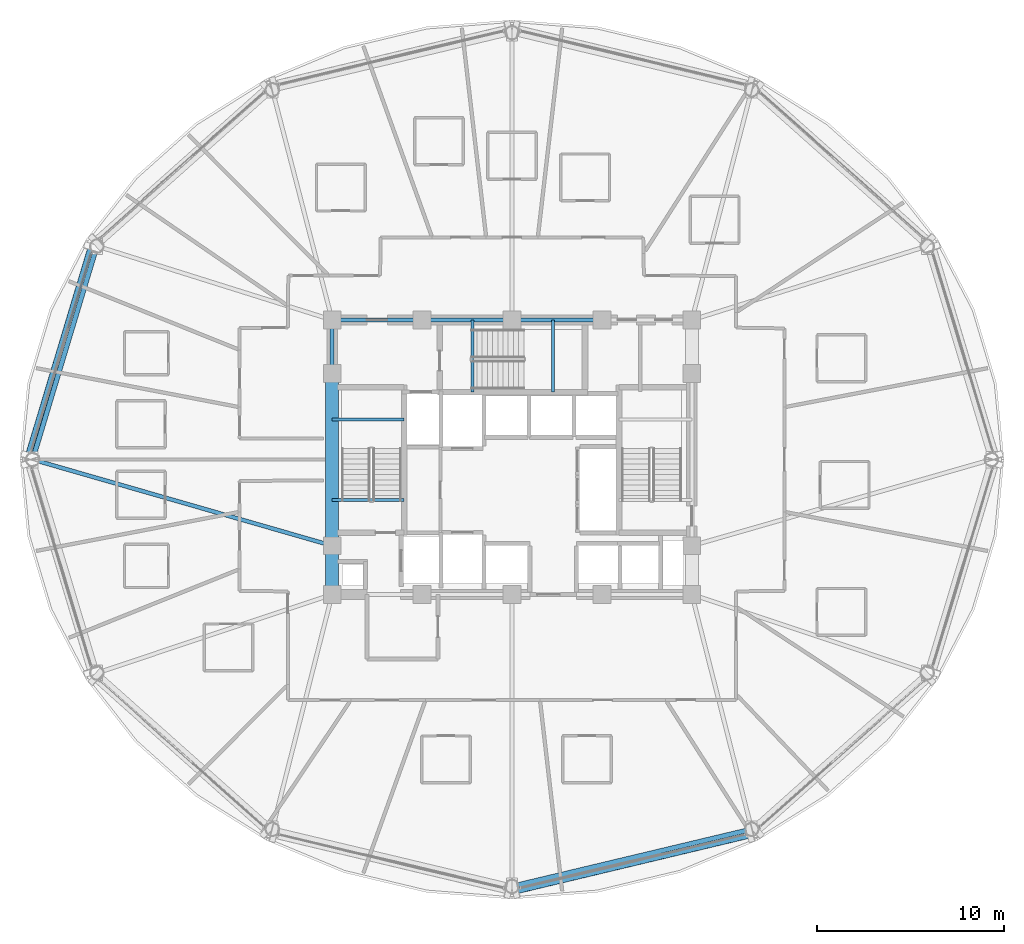
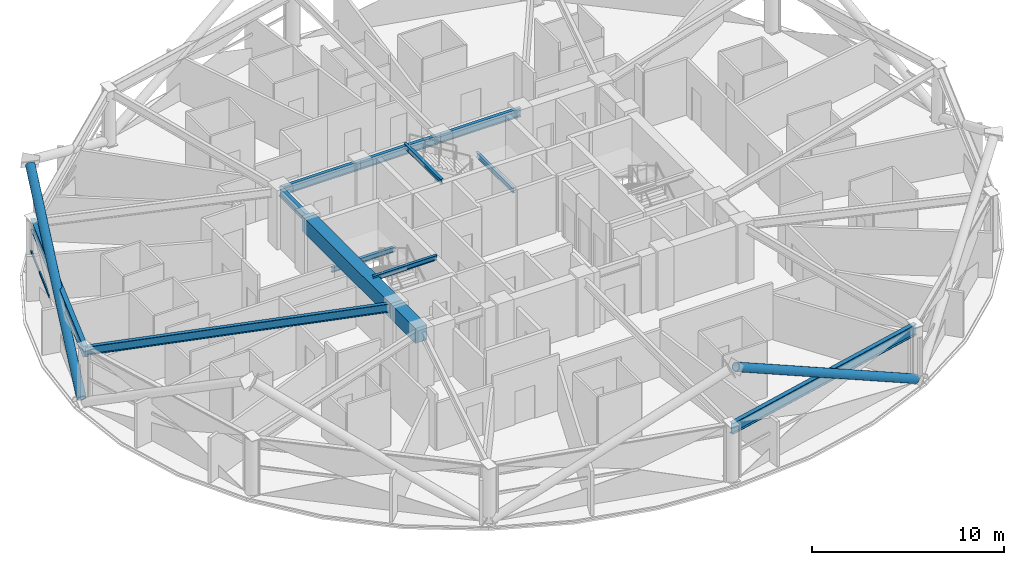
# One storey, part 7 of 32: 13 beams, 3 members, 1 element without a shape of its own.
"""IFC4 building model written with IfcOpenShell, lengths in metres."""

from ifc_helpers import new_model, si_unit, direction, frame, origin, origin_2d, place, context, subcontext, project, spatial, rectangle, hollow_rectangle, hollow_circle, i_section, extrude, material, layer, layer_set, material_profile, profile_set, type_object, element, aggregate, save


model = new_model("IFC4")

# Units and contexts
model_context = context("Model", 3, precision=1e-05, world=origin(), true_north=direction((0.0, 1.0)))
body_context = subcontext(model_context, "Body", "Model", "MODEL_VIEW")
ifc_project = project(units=[si_unit("LENGTHUNIT", "METRE"), si_unit("AREAUNIT", "SQUARE_METRE"), si_unit("VOLUMEUNIT", "CUBIC_METRE"), si_unit("PLANEANGLEUNIT", "RADIAN"), si_unit("MASSUNIT", "GRAM", prefix="KILO")], contexts=[model_context])

# Site, building, storey
site_placement = place(None, origin())
site = spatial("IfcSite", under=ifc_project, at=site_placement, CompositionType="ELEMENT")
building_placement = place(site_placement, origin())
building = spatial("IfcBuilding", under=site, at=building_placement, Name="Vantalir Tower", CompositionType="ELEMENT")
storey_placement = place(building_placement, frame((0.0, 0.0, 104.699951171875)))
storey = spatial("IfcBuildingStorey", under=building, at=storey_placement, Name="L25", CompositionType="ELEMENT", Elevation=104.699951171875)

# Beams
ifc_material_1 = material(Name="Concrete C60/75", Category="concrete")
ifc_material_profile_1 = material_profile(ifc_material_1, rectangle(XDim=0.699951171875, YDim=0.949951171875, at=origin_2d()), Name="Concrete C60/75")
ifc_profile_set_1 = profile_set([ifc_material_profile_1], Name="Concrete C60/75")
beam_type_1 = type_object("IfcBeamType", Name="BM-CB-700x950", PredefinedType="USERDEFINED", material=ifc_profile_set_1)
beam_1_placement = place(storey_placement, frame((21.89990234375, 29.60009765625, 3.094970703125), z_axis=(0.0, -1.0, 0.0), x_axis=(1.0, 0.0, 0.0)))
element("IfcBeam", 1, at=beam_1_placement, inside=storey, type_object=beam_type_1, Name="L25 Core Coupling Girder 13", ObjectType="GIRDER", PredefinedType="USERDEFINED", context=body_context, shape_type="SweptSolid", body=[
    extrude(rectangle(XDim=0.699951171875, YDim=0.949951171875, at=origin_2d()), origin(), (0.0, 0.0, 1.0), 9.2001953125),
])
beam_2_placement = place(storey_placement, frame((21.89990234375, 20.39990234375, 3.094970703125), z_axis=(0.0, -1.0, 0.0), x_axis=(1.0, 0.0, 0.0)))
element("IfcBeam", 2, at=beam_2_placement, inside=storey, type_object=beam_type_1, Name="L25 Core Coupling Girder 14", ObjectType="GIRDER", PredefinedType="USERDEFINED", context=body_context, shape_type="SweptSolid", body=[
    extrude(rectangle(XDim=0.699951171875, YDim=0.949951171875, at=origin_2d()), origin(), (0.0, 0.0, 1.0), 2.599853515625),
])
ifc_material_2 = material(Name="Steel S355", Category="steel")
ifc_material_profile_2 = material_profile(ifc_material_2, i_section(OverallWidth=0.166015625, OverallDepth=0.306884765625, WebThickness=0.006591796875, FlangeThickness=0.01171875, at=origin_2d()), Name="Steel S355")
ifc_profile_set_2 = profile_set([ifc_material_profile_2], Name="Steel S355")
beam_type_2 = type_object("IfcBeamType", Name="BM-JS-305x165", PredefinedType="JOIST", material=ifc_profile_set_2)
for number, where, z_axis, x_axis, name in (
    (3, (21.89990234375, 22.8349609375, 3.59716796875), (1.0, 0.0, 0.0), (0.0, 1.0, 0.0), "L26 Stair ST1 Well Nosing Trimmer Beam"),
    (4, (21.89990234375, 27.14501953125, 1.52197265625), (1.0, 0.0, 0.0), (0.0, 1.0, 0.0), "L25 Stair ST1 Half-Landing Support Beam"),
):
    element("IfcBeam", number, at=place(storey_placement, frame(where, z_axis=z_axis, x_axis=x_axis)), inside=storey, type_object=beam_type_2, Name=name, PredefinedType="JOIST", context=body_context, shape_type="SweptSolid", body=[
        extrude(i_section(OverallWidth=0.166015625, OverallDepth=0.306884765625, WebThickness=0.006591796875, FlangeThickness=0.01171875, at=origin_2d()), origin(), (0.0, 0.0, 1.0), 3.840087890625),
    ])
for number, where, z_axis, x_axis, name in (
    (5, (29.385009765625, 28.60009765625, 3.59716796875), (0.0, 1.0, 0.0), (-1.0, 0.0, 0.0), "L26 Stair ST3 Well Nosing Trimmer Beam"),
    (6, (33.695068359375, 28.60009765625, 1.52197265625), (0.0, 1.0, 0.0), (-1.0, 0.0, 0.0), "L25 Stair ST3 Half-Landing Support Beam"),
):
    element("IfcBeam", number, at=place(storey_placement, frame(where, z_axis=z_axis, x_axis=x_axis)), inside=storey, type_object=beam_type_2, Name=name, PredefinedType="JOIST", context=body_context, shape_type="SweptSolid", body=[
        extrude(i_section(OverallWidth=0.166015625, OverallDepth=0.306884765625, WebThickness=0.006591796875, FlangeThickness=0.01171875, at=origin_2d()), origin(), (0.0, 0.0, 1.0), 3.849853515625),
    ])
ifc_material_profile_3 = material_profile(ifc_material_2, i_section(OverallWidth=0.2109375, OverallDepth=0.5390625, WebThickness=0.01171875, FlangeThickness=0.018798828125, at=origin_2d()), Name="Steel S355")
ifc_profile_set_3 = profile_set([ifc_material_profile_3], Name="Steel S355")
beam_type_3 = type_object("IfcBeamType", Name="BM-RB-533x210", PredefinedType="BEAM", material=ifc_profile_set_3)
for number, where, z_axis, x_axis, name in (
    (7, (36.300048828125, 32.449951171875, 3.300048828125), (-1.0, 0.0, 0.0), (0.0, -1.0, 0.0), "L25 Core Coupling Girder 09"),
    (8, (31.5, 32.449951171875, 3.300048828125), (-1.0, 0.0, 0.0), (0.0, -1.0, 0.0), "L25 Core Coupling Girder 10"),
    (9, (26.699951171875, 32.449951171875, 3.300048828125), (-1.0, 0.0, 0.0), (0.0, -1.0, 0.0), "L25 Core Coupling Girder 11"),
):
    element("IfcBeam", number, at=place(storey_placement, frame(where, z_axis=z_axis, x_axis=x_axis)), inside=storey, type_object=beam_type_3, Name=name, PredefinedType="BEAM", context=body_context, shape_type="SweptSolid", body=[
        extrude(i_section(OverallWidth=0.2109375, OverallDepth=0.5390625, WebThickness=0.01171875, FlangeThickness=0.018798828125, at=origin_2d()), origin(), (0.0, 0.0, 1.0), 4.800048828125),
    ])
beam_3_placement = place(storey_placement, frame((21.89990234375, 32.449951171875, 3.300048828125), z_axis=(0.0, -1.0, 0.0), x_axis=(1.0, 0.0, 0.0)))
element("IfcBeam", 10, at=beam_3_placement, inside=storey, type_object=beam_type_3, Name="L25 Core Coupling Girder 12", PredefinedType="BEAM", context=body_context, shape_type="SweptSolid", body=[
    extrude(i_section(OverallWidth=0.2109375, OverallDepth=0.5390625, WebThickness=0.01171875, FlangeThickness=0.018798828125, at=origin_2d()), origin(), (0.0, 0.0, 1.0), 2.849853515625),
])
beam_4_placement = place(storey_placement, frame((5.912109375, 25.0, 3.300048828125), z_axis=(0.961011705277, -0.276507689442, 0.0), x_axis=(0.276507689442, 0.961011705277, 0.0)))
element("IfcBeam", 11, at=beam_4_placement, inside=storey, type_object=beam_type_3, Name="L25 Radial Floor Beam 07", PredefinedType="BEAM", context=body_context, shape_type="SweptSolid", body=[
    extrude(i_section(OverallWidth=0.2109375, OverallDepth=0.5390625, WebThickness=0.01171875, FlangeThickness=0.018798828125, at=origin_2d()), origin(), (0.0, 0.0, 1.0), 16.636474609375),
])
ifc_material_3 = material(Name="Steel S460", Category="steel")
ifc_material_profile_4 = material_profile(ifc_material_3, i_section(OverallWidth=0.256103515625, OverallDepth=0.693115234375, WebThickness=0.014404296875, FlangeThickness=0.023681640625, at=origin_2d()), Name="Steel S460")
ifc_profile_set_4 = profile_set([ifc_material_profile_4], Name="Steel S460")
beam_type_4 = type_object("IfcBeamType", Name="BM-RG-686x254", PredefinedType="USERDEFINED", material=ifc_profile_set_4)
beam_5_placement = place(storey_placement, frame((9.340087890625, 36.39404296875, 3.22314453125), z_axis=(-0.288100770592, -0.95760009711, 0.0), x_axis=(0.95760009711, -0.288100770592, 0.0)))
element("IfcBeam", 12, at=beam_5_placement, inside=storey, type_object=beam_type_4, Name="L25 Circumferential Ring Girder 06", ObjectType="GIRDER", PredefinedType="USERDEFINED", context=body_context, shape_type="SweptSolid", body=[
    extrude(i_section(OverallWidth=0.256103515625, OverallDepth=0.693115234375, WebThickness=0.014404296875, FlangeThickness=0.023681640625, at=origin_2d()), origin(), (0.0, 0.0, 1.0), 11.8984375),
])
beam_6_placement = place(storey_placement, frame((31.5, 2.2119140625, 3.22314453125), z_axis=(0.972689585219, 0.232109824883, 0.0), x_axis=(-0.232109824883, 0.972689585219, 0.0)))
element("IfcBeam", 13, at=beam_6_placement, inside=storey, type_object=beam_type_4, Name="L25 Circumferential Ring Girder 10", ObjectType="GIRDER", PredefinedType="USERDEFINED", context=body_context, shape_type="SweptSolid", body=[
    extrude(i_section(OverallWidth=0.256103515625, OverallDepth=0.693115234375, WebThickness=0.014404296875, FlangeThickness=0.023681640625, at=origin_2d()), origin(), (0.0, 0.0, 1.0), 13.153076171875),
])

# Curtain wall, member
ifc_material_4 = material(Name="Champagne-silver PVDF aluminium and double-silver Low-E glass", Category="aluminium")
ifc_layer = layer(ifc_material_4, 0.199951171875)
ifc_layer_set = layer_set([ifc_layer], Name="Champagne-silver PVDF aluminium and double-silver Low-E glass")
curtain_wall_type = type_object("IfcCurtainWallType", Name="CW-DIAMOND-Z2", PredefinedType="USERDEFINED", material=ifc_layer_set)
curtain_wall_placement = place(storey_placement, origin())
curtain_wall = element("IfcCurtainWall", 14, at=curtain_wall_placement, inside=storey, type_object=curtain_wall_type, Name="L25 Quilted Pyramid-Diamond Curtain Wall S06", ObjectType="UNITISED CURTAIN WALL", PredefinedType="USERDEFINED")
ifc_material_5 = material(Name="Champagne-silver PVDF aluminium 6063-T6", Category="aluminium")
ifc_material_profile_5 = material_profile(ifc_material_5, hollow_rectangle(XDim=0.074951171875, YDim=0.159912109375, WallThickness=0.00390625, at=origin_2d()), Name="Champagne-silver PVDF aluminium 6063-T6")
ifc_profile_set_5 = profile_set([ifc_material_profile_5], Name="Champagne-silver PVDF aluminium 6063-T6")
member_type_1 = type_object("IfcMemberType", Name="CWT-160x75", PredefinedType="USERDEFINED", material=ifc_profile_set_5)
member_1_placement = place(storey_placement, frame((9.049072265625, 36.068115234375, 1.78515625), z_axis=(-0.293269537848, -0.956029799834, 0.0), x_axis=(0.956029799834, -0.293269537848, 0.0)))
member_1 = element("IfcMember", 15, at=member_1_placement, type_object=member_type_1, Name="CW-L25-S06 Pyramid Fold Ridge Transom", ObjectType="TRANSOM", PredefinedType="USERDEFINED", context=body_context, shape_type="SweptSolid", body=[
    extrude(hollow_rectangle(XDim=0.074951171875, YDim=0.159912109375, WallThickness=0.00390625, at=origin_2d()), origin(), (0.0, 0.0, 1.0), 4.224853515625),
])
aggregate(curtain_wall, [member_1])

# Members
ifc_material_profile_6 = material_profile(ifc_material_3, hollow_circle(Radius=0.260009765625, WallThickness=0.0380859375, at=origin_2d()), Name="Steel S460")
ifc_profile_set_6 = profile_set([ifc_material_profile_6], Name="Steel S460")
member_type_2 = type_object("IfcMemberType", Name="MEM-DB-520x38", PredefinedType="BRACE", material=ifc_profile_set_6)
member_2_placement = place(storey_placement, frame((5.77587890625, 25.180908203125, 0.193115234375), z_axis=(0.247297037267, 0.822344744457, 0.512438578391), x_axis=(-0.957635816224, 0.287982019377, 0.0)))
element("IfcMember", 16, at=member_2_placement, inside=storey, type_object=member_type_2, Name="L25 Perimeter S460 Diagrid Brace R19R", PredefinedType="BRACE", context=body_context, shape_type="SweptSolid", body=[
    extrude(hollow_circle(Radius=0.260009765625, WallThickness=0.0380859375, at=origin_2d()), origin(), (0.0, 0.0, 1.0), 13.531005859375),
])
member_3_placement = place(storey_placement, frame((44.200927734375, 5.054931640625, 0.18505859375), z_axis=(-0.855759229525, -0.204351690831, 0.47530677203), x_axis=(0.232265303293, -0.972652470765, 0.0)))
element("IfcMember", 17, at=member_3_placement, inside=storey, type_object=member_type_2, Name="L25 Perimeter S460 Diagrid Brace R31R", PredefinedType="BRACE", context=body_context, shape_type="SweptSolid", body=[
    extrude(hollow_circle(Radius=0.260009765625, WallThickness=0.0380859375, at=origin_2d()), origin(), (0.0, 0.0, 1.0), 14.6220703125),
])

save(model, "model.ifc")
